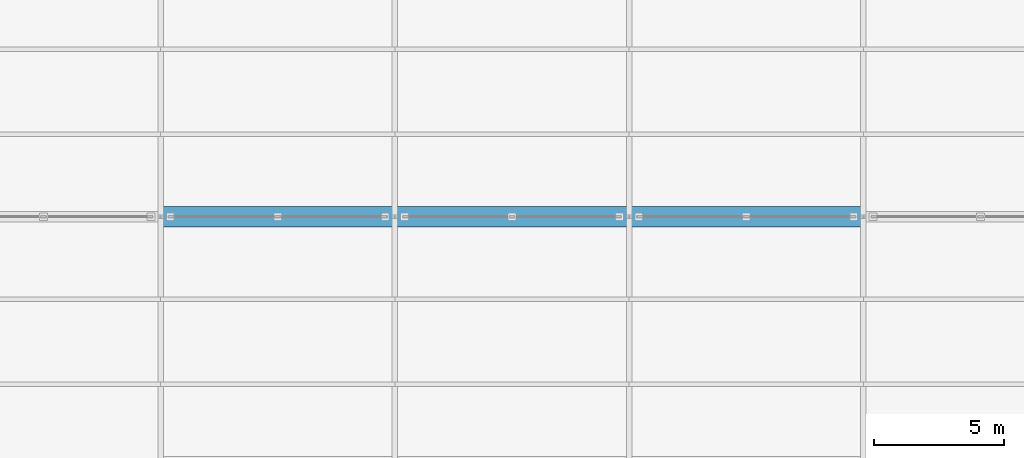
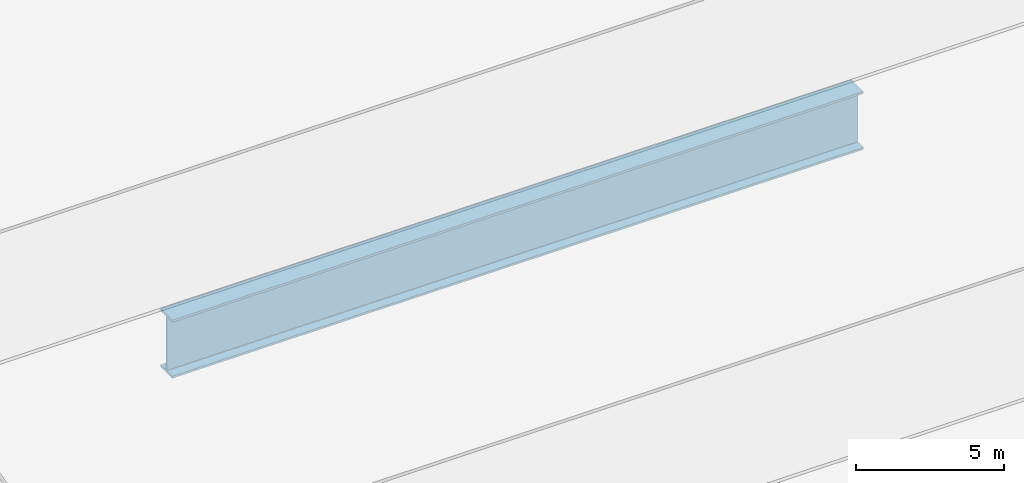
# One storey, part 11 of 36: 1 beam.
"""IFC4 building model written with IfcOpenShell, lengths in metres."""

from ifc_helpers import new_model, si_unit, direction, frame, origin, origin_2d, place, context, subcontext, project, spatial, i_section, extrude, material, material_profile, profile_set, type_object, element, save


model = new_model("IFC4")

# Units and contexts
model_context = context("Model", 3, precision=1e-05, world=origin(), true_north=direction((0.0, 1.0)))
body_context = subcontext(model_context, "Body", "Model", "MODEL_VIEW")
ifc_project = project(units=[si_unit("LENGTHUNIT", "METRE"), si_unit("AREAUNIT", "SQUARE_METRE"), si_unit("VOLUMEUNIT", "CUBIC_METRE"), si_unit("PLANEANGLEUNIT", "RADIAN"), si_unit("MASSUNIT", "GRAM", prefix="KILO")], contexts=[model_context])

# Site, building, storey
site_placement = place(None, origin())
site = spatial("IfcSite", under=ifc_project, at=site_placement, CompositionType="ELEMENT")
building_placement = place(site_placement, origin())
building = spatial("IfcBuilding", under=site, at=building_placement, Name="Qorvath Tower", CompositionType="ELEMENT")
storey_placement = place(building_placement, frame((0.0, 0.0, 27.0)))
storey = spatial("IfcBuildingStorey", under=building, at=storey_placement, Name="L05", CompositionType="ELEMENT", Elevation=27.0)

# Beam
ifc_material = material(Name="Steel ASTM A572 Grade 50", Category="steel")
ifc_material_profile = material_profile(ifc_material, i_section(OverallWidth=0.800048828125, OverallDepth=2.39990234375, WebThickness=0.044921875, FlangeThickness=0.090087890625, FilletRadius=0.02490234375, at=origin_2d()), Name="WTG 2400x800")
ifc_profile_set = profile_set([ifc_material_profile], Name="Steel ASTM A572 Grade 50")
beam_type = type_object("IfcBeamType", Name="BM-TG2", PredefinedType="BEAM", material=ifc_profile_set)
beam_placement = place(storey_placement, frame((41.39990234375, 9.60009765625, 0.8935546875), z_axis=(1.0, 0.0, 0.0), x_axis=(0.0, 1.0, 0.0)))
element("IfcBeam", 1, at=beam_placement, inside=storey, type_object=beam_type, Name="Library Reading Hall Clear-Span Roof Girder 6-C", PredefinedType="BEAM", context=body_context, shape_type="SweptSolid", body=[
    extrude(i_section(OverallWidth=0.800048828125, OverallDepth=2.39990234375, WebThickness=0.044921875, FlangeThickness=0.090087890625, FilletRadius=0.02490234375, at=origin_2d()), origin(), (0.0, 0.0, 1.0), 27.0),
])

save(model, "model.ifc")
